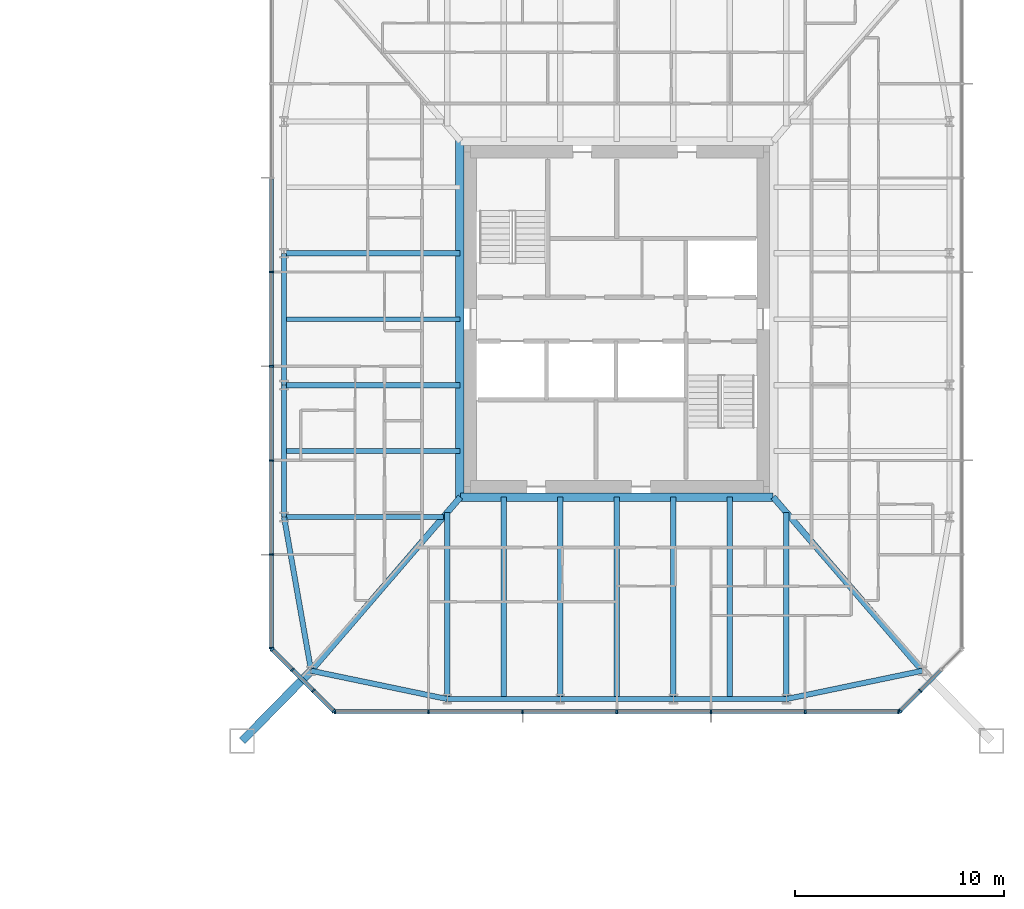
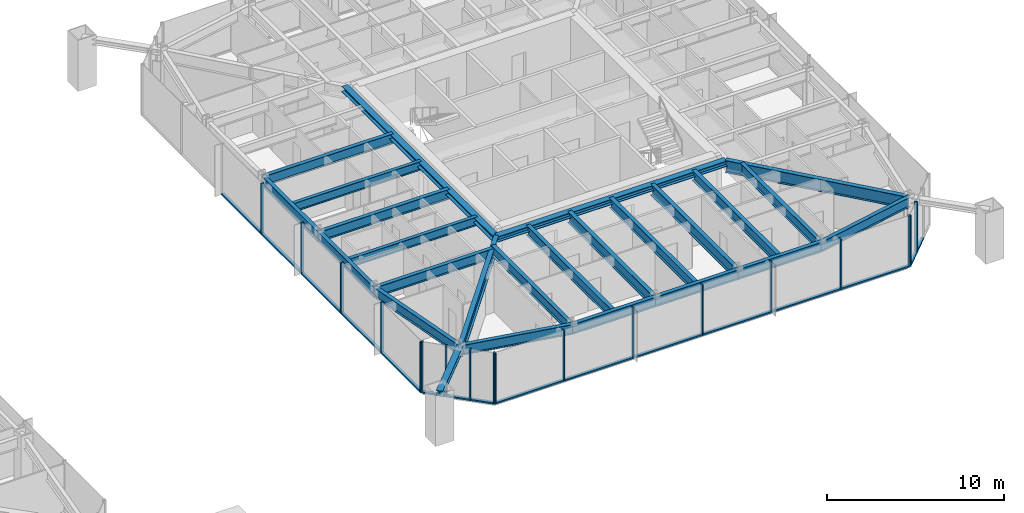
# One storey, part 8 of 26: 35 members, 24 beams, 4 elements without a shape of their own.
"""IFC4 building model written with IfcOpenShell, lengths in metres."""

from ifc_helpers import new_model, si_unit, direction, frame, origin, origin_2d, place, context, subcontext, project, spatial, rectangle, i_section, extrude, material, material_profile, profile_set, type_object, element, aggregate, save


model = new_model("IFC4")

# Units and contexts
model_context = context("Model", 3, precision=1e-05, world=origin(), true_north=direction((0.0, 1.0)))
body_context = subcontext(model_context, "Body", "Model", "MODEL_VIEW")
ifc_project = project(units=[si_unit("LENGTHUNIT", "METRE"), si_unit("AREAUNIT", "SQUARE_METRE"), si_unit("VOLUMEUNIT", "CUBIC_METRE"), si_unit("PLANEANGLEUNIT", "RADIAN"), si_unit("MASSUNIT", "GRAM", prefix="KILO")], contexts=[model_context])

# Site, building, storey
site_placement = place(None, origin())
site = spatial("IfcSite", under=ifc_project, at=site_placement, CompositionType="ELEMENT")
building_placement = place(site_placement, origin())
building = spatial("IfcBuilding", under=site, at=building_placement, Name="Iwan Alto Co-Living Towers", CompositionType="ELEMENT")
storey_placement = place(building_placement, frame((0.0, 0.0, 60.5)))
storey = spatial("IfcBuildingStorey", under=building, at=storey_placement, Name="L16", CompositionType="ELEMENT", Elevation=60.5)

# Curtain wall, members
ifc_material_1 = material(Name="Bronze aluminium unitised frame", Category="aluminium")
curtain_wall_type_1 = type_object("IfcCurtainWallType", Name="CURTAIN WALL CW-C", PredefinedType="NOTDEFINED", material=ifc_material_1)
curtain_wall_1_placement = place(storey_placement, origin())
curtain_wall_1 = element("IfcCurtainWall", 1, at=curtain_wall_1_placement, inside=storey, type_object=curtain_wall_type_1, Name="T2 curtain wall S L16", PredefinedType="NOTDEFINED")
ifc_material_2 = material(Name="Aluminium 6063-T6 bronze anodised", Category="aluminium")
ifc_material_profile_1 = material_profile(ifc_material_2, rectangle(XDim=0.199951171875, YDim=0.080078125, at=origin_2d()), Name="AL 80X200")
ifc_profile_set_1 = profile_set([ifc_material_profile_1], Name="Aluminium 6063-T6 bronze anodised")
member_type_1 = type_object("IfcMemberType", Name="CW-C MULLION 80X200", PredefinedType="MULLION", material=ifc_profile_set_1)
member_1_placement = place(storey_placement, frame((49.5400390625, -18.75, 0.0), z_axis=(0.0, 0.0, 1.0), x_axis=(0.0, 1.0, 0.0)))
member_1 = element("IfcMember", 2, at=member_1_placement, type_object=member_type_1, Name="CW-C mullion 1", PredefinedType="MULLION", context=body_context, shape_type="SweptSolid", body=[
    extrude(rectangle(XDim=0.199951171875, YDim=0.080078125, at=origin_2d()), origin(), (0.0, 0.0, 1.0), 3.5),
])
member_2_placement = place(storey_placement, frame((54.0, -18.75, 0.0), z_axis=(0.0, 0.0, 1.0), x_axis=(0.0, 1.0, 0.0)))
member_2 = element("IfcMember", 3, at=member_2_placement, type_object=member_type_1, Name="CW-C mullion 2", PredefinedType="MULLION", context=body_context, shape_type="SweptSolid", body=[
    extrude(rectangle(XDim=0.199951171875, YDim=0.080078125, at=origin_2d()), origin(), (0.0, 0.0, 1.0), 3.5),
])
member_3_placement = place(storey_placement, frame((58.5, -18.75, 0.0), z_axis=(0.0, 0.0, 1.0), x_axis=(0.0, 1.0, 0.0)))
member_3 = element("IfcMember", 4, at=member_3_placement, type_object=member_type_1, Name="CW-C mullion 3", PredefinedType="MULLION", context=body_context, shape_type="SweptSolid", body=[
    extrude(rectangle(XDim=0.199951171875, YDim=0.080078125, at=origin_2d()), origin(), (0.0, 0.0, 1.0), 3.5),
])
member_4_placement = place(storey_placement, frame((63.0, -18.75, 0.0), z_axis=(0.0, 0.0, 1.0), x_axis=(0.0, 1.0, 0.0)))
member_4 = element("IfcMember", 5, at=member_4_placement, type_object=member_type_1, Name="CW-C mullion 4", PredefinedType="MULLION", context=body_context, shape_type="SweptSolid", body=[
    extrude(rectangle(XDim=0.199951171875, YDim=0.080078125, at=origin_2d()), origin(), (0.0, 0.0, 1.0), 3.5),
])
member_5_placement = place(storey_placement, frame((67.5, -18.75, 0.0), z_axis=(0.0, 0.0, 1.0), x_axis=(0.0, 1.0, 0.0)))
member_5 = element("IfcMember", 6, at=member_5_placement, type_object=member_type_1, Name="CW-C mullion 5", PredefinedType="MULLION", context=body_context, shape_type="SweptSolid", body=[
    extrude(rectangle(XDim=0.199951171875, YDim=0.080078125, at=origin_2d()), origin(), (0.0, 0.0, 1.0), 3.5),
])
member_6_placement = place(storey_placement, frame((72.0, -18.75, 0.0), z_axis=(0.0, 0.0, 1.0), x_axis=(0.0, 1.0, 0.0)))
member_6 = element("IfcMember", 7, at=member_6_placement, type_object=member_type_1, Name="CW-C mullion 6", PredefinedType="MULLION", context=body_context, shape_type="SweptSolid", body=[
    extrude(rectangle(XDim=0.199951171875, YDim=0.080078125, at=origin_2d()), origin(), (0.0, 0.0, 1.0), 3.5),
])
member_7_placement = place(storey_placement, frame((76.4599609375, -18.75, 0.0), z_axis=(0.0, 0.0, 1.0), x_axis=(0.0, 1.0, 0.0)))
member_7 = element("IfcMember", 8, at=member_7_placement, type_object=member_type_1, Name="CW-C mullion 7", PredefinedType="MULLION", context=body_context, shape_type="SweptSolid", body=[
    extrude(rectangle(XDim=0.199951171875, YDim=0.080078125, at=origin_2d()), origin(), (0.0, 0.0, 1.0), 3.5),
])

curtain_wall_2_placement = place(storey_placement, origin())
curtain_wall_2 = element("IfcCurtainWall", 9, at=curtain_wall_2_placement, inside=storey, type_object=curtain_wall_type_1, Name="T2 curtain wall W L16", PredefinedType="NOTDEFINED")
member_8_placement = place(storey_placement, frame((46.5, 2.25, 0.0), z_axis=(0.0, 0.0, 1.0), x_axis=(1.0, 0.0, 0.0)))
member_8 = element("IfcMember", 10, at=member_8_placement, type_object=member_type_1, Name="CW-C mullion 4", PredefinedType="MULLION", context=body_context, shape_type="SweptSolid", body=[
    extrude(rectangle(XDim=0.199951171875, YDim=0.080078125, at=origin_2d()), origin(), (0.0, 0.0, 1.0), 3.5),
])
member_9_placement = place(storey_placement, frame((46.5, -2.25, 0.0), z_axis=(0.0, 0.0, 1.0), x_axis=(1.0, 0.0, 0.0)))
member_9 = element("IfcMember", 11, at=member_9_placement, type_object=member_type_1, Name="CW-C mullion 5", PredefinedType="MULLION", context=body_context, shape_type="SweptSolid", body=[
    extrude(rectangle(XDim=0.199951171875, YDim=0.080078125, at=origin_2d()), origin(), (0.0, 0.0, 1.0), 3.5),
])
member_10_placement = place(storey_placement, frame((46.5, -6.75, 0.0), z_axis=(0.0, 0.0, 1.0), x_axis=(1.0, 0.0, 0.0)))
member_10 = element("IfcMember", 12, at=member_10_placement, type_object=member_type_1, Name="CW-C mullion 6", PredefinedType="MULLION", context=body_context, shape_type="SweptSolid", body=[
    extrude(rectangle(XDim=0.199951171875, YDim=0.080078125, at=origin_2d()), origin(), (0.0, 0.0, 1.0), 3.5),
])
member_11_placement = place(storey_placement, frame((46.5, -11.25, 0.0), z_axis=(0.0, 0.0, 1.0), x_axis=(1.0, 0.0, 0.0)))
member_11 = element("IfcMember", 13, at=member_11_placement, type_object=member_type_1, Name="CW-C mullion 7", PredefinedType="MULLION", context=body_context, shape_type="SweptSolid", body=[
    extrude(rectangle(XDim=0.199951171875, YDim=0.080078125, at=origin_2d()), origin(), (0.0, 0.0, 1.0), 3.5),
])
member_12_placement = place(storey_placement, frame((46.5, -15.7099609375, 0.0), z_axis=(0.0, 0.0, 1.0), x_axis=(1.0, 0.0, 0.0)))
member_12 = element("IfcMember", 14, at=member_12_placement, type_object=member_type_1, Name="CW-C mullion 8", PredefinedType="MULLION", context=body_context, shape_type="SweptSolid", body=[
    extrude(rectangle(XDim=0.199951171875, YDim=0.080078125, at=origin_2d()), origin(), (0.0, 0.0, 1.0), 3.5),
])

# Member
ifc_material_3 = material(Name="Aluminium 6063-T6 bronze anodised", Category="aluminium")
ifc_material_profile_2 = material_profile(ifc_material_3, rectangle(XDim=0.199951171875, YDim=0.10009765625, at=origin_2d()), Name="AL 200X100")
ifc_profile_set_2 = profile_set([ifc_material_profile_2], Name="Aluminium 6063-T6 bronze anodised")
member_type_2 = type_object("IfcMemberType", Name="CW-C TRANSOM 200X100", PredefinedType="USERDEFINED", material=ifc_profile_set_2)
member_13_placement = place(storey_placement, frame((49.580078125, -18.75, 0.050048828125), z_axis=(1.0, 0.0, 0.0), x_axis=(0.0, 1.0, 0.0)))
member_13 = element("IfcMember", 15, at=member_13_placement, type_object=member_type_2, Name="CW-C transom 1.1", ObjectType="TRANSOM", PredefinedType="USERDEFINED", context=body_context, shape_type="SweptSolid", body=[
    extrude(rectangle(XDim=0.199951171875, YDim=0.10009765625, at=origin_2d()), origin(), (0.0, 0.0, 1.0), 4.3798828125),
])

member_14_placement = place(storey_placement, frame((54.0400390625, -18.75, 0.050048828125), z_axis=(1.0, 0.0, 0.0), x_axis=(0.0, 1.0, 0.0)))
member_14 = element("IfcMember", 16, at=member_14_placement, type_object=member_type_2, Name="CW-C transom 2.1", ObjectType="TRANSOM", PredefinedType="USERDEFINED", context=body_context, shape_type="SweptSolid", body=[
    extrude(rectangle(XDim=0.199951171875, YDim=0.10009765625, at=origin_2d()), origin(), (0.0, 0.0, 1.0), 4.419921875),
])

member_15_placement = place(storey_placement, frame((58.5400390625, -18.75, 0.050048828125), z_axis=(1.0, 0.0, 0.0), x_axis=(0.0, 1.0, 0.0)))
member_15 = element("IfcMember", 17, at=member_15_placement, type_object=member_type_2, Name="CW-C transom 3.1", ObjectType="TRANSOM", PredefinedType="USERDEFINED", context=body_context, shape_type="SweptSolid", body=[
    extrude(rectangle(XDim=0.199951171875, YDim=0.10009765625, at=origin_2d()), origin(), (0.0, 0.0, 1.0), 4.419921875),
])

member_16_placement = place(storey_placement, frame((63.0400390625, -18.75, 0.050048828125), z_axis=(1.0, 0.0, 0.0), x_axis=(0.0, 1.0, 0.0)))
member_16 = element("IfcMember", 18, at=member_16_placement, type_object=member_type_2, Name="CW-C transom 4.1", ObjectType="TRANSOM", PredefinedType="USERDEFINED", context=body_context, shape_type="SweptSolid", body=[
    extrude(rectangle(XDim=0.199951171875, YDim=0.10009765625, at=origin_2d()), origin(), (0.0, 0.0, 1.0), 4.419921875),
])

member_17_placement = place(storey_placement, frame((67.5400390625, -18.75, 0.050048828125), z_axis=(1.0, 0.0, 0.0), x_axis=(0.0, 1.0, 0.0)))
member_17 = element("IfcMember", 19, at=member_17_placement, type_object=member_type_2, Name="CW-C transom 5.1", ObjectType="TRANSOM", PredefinedType="USERDEFINED", context=body_context, shape_type="SweptSolid", body=[
    extrude(rectangle(XDim=0.199951171875, YDim=0.10009765625, at=origin_2d()), origin(), (0.0, 0.0, 1.0), 4.419921875),
])

member_18_placement = place(storey_placement, frame((72.0400390625, -18.75, 0.050048828125), z_axis=(1.0, 0.0, 0.0), x_axis=(0.0, 1.0, 0.0)))
member_18 = element("IfcMember", 20, at=member_18_placement, type_object=member_type_2, Name="CW-C transom 6.1", ObjectType="TRANSOM", PredefinedType="USERDEFINED", context=body_context, shape_type="SweptSolid", body=[
    extrude(rectangle(XDim=0.199951171875, YDim=0.10009765625, at=origin_2d()), origin(), (0.0, 0.0, 1.0), 4.3798828125),
])

aggregate(curtain_wall_1, [member_1, member_2, member_3, member_4, member_5, member_6, member_7, member_13, member_14, member_15, member_16, member_17, member_18])

member_19_placement = place(storey_placement, frame((46.5, 6.7099609375, 0.050048828125), z_axis=(0.0, -1.0, 0.0), x_axis=(1.0, 0.0, 0.0)))
member_19 = element("IfcMember", 21, at=member_19_placement, type_object=member_type_2, Name="CW-C transom 3.1", ObjectType="TRANSOM", PredefinedType="USERDEFINED", context=body_context, shape_type="SweptSolid", body=[
    extrude(rectangle(XDim=0.199951171875, YDim=0.10009765625, at=origin_2d()), origin(), (0.0, 0.0, 1.0), 4.419921875),
])

member_20_placement = place(storey_placement, frame((46.5, 2.2099609375, 0.050048828125), z_axis=(0.0, -1.0, 0.0), x_axis=(1.0, 0.0, 0.0)))
member_20 = element("IfcMember", 22, at=member_20_placement, type_object=member_type_2, Name="CW-C transom 4.1", ObjectType="TRANSOM", PredefinedType="USERDEFINED", context=body_context, shape_type="SweptSolid", body=[
    extrude(rectangle(XDim=0.199951171875, YDim=0.10009765625, at=origin_2d()), origin(), (0.0, 0.0, 1.0), 4.419921875),
])

member_21_placement = place(storey_placement, frame((46.5, -2.2900390625, 0.050048828125), z_axis=(0.0, -1.0, 0.0), x_axis=(1.0, 0.0, 0.0)))
member_21 = element("IfcMember", 23, at=member_21_placement, type_object=member_type_2, Name="CW-C transom 5.1", ObjectType="TRANSOM", PredefinedType="USERDEFINED", context=body_context, shape_type="SweptSolid", body=[
    extrude(rectangle(XDim=0.199951171875, YDim=0.10009765625, at=origin_2d()), origin(), (0.0, 0.0, 1.0), 4.419921875),
])

member_22_placement = place(storey_placement, frame((46.5, -6.7900390625, 0.050048828125), z_axis=(0.0, -1.0, 0.0), x_axis=(1.0, 0.0, 0.0)))
member_22 = element("IfcMember", 24, at=member_22_placement, type_object=member_type_2, Name="CW-C transom 6.1", ObjectType="TRANSOM", PredefinedType="USERDEFINED", context=body_context, shape_type="SweptSolid", body=[
    extrude(rectangle(XDim=0.199951171875, YDim=0.10009765625, at=origin_2d()), origin(), (0.0, 0.0, 1.0), 4.419921875),
])

member_23_placement = place(storey_placement, frame((46.5, -11.2900390625, 0.050048828125), z_axis=(0.0, -1.0, 0.0), x_axis=(1.0, 0.0, 0.0)))
member_23 = element("IfcMember", 25, at=member_23_placement, type_object=member_type_2, Name="CW-C transom 7.1", ObjectType="TRANSOM", PredefinedType="USERDEFINED", context=body_context, shape_type="SweptSolid", body=[
    extrude(rectangle(XDim=0.199951171875, YDim=0.10009765625, at=origin_2d()), origin(), (0.0, 0.0, 1.0), 4.3798828125),
])

aggregate(curtain_wall_2, [member_8, member_9, member_10, member_11, member_12, member_19, member_20, member_21, member_22, member_23])

# Curtain wall, members
ifc_material_4 = material(Name="Bronze aluminium unitised frame", Category="aluminium")
curtain_wall_type_2 = type_object("IfcCurtainWallType", Name="CURTAIN WALL CW-D", PredefinedType="NOTDEFINED", material=ifc_material_4)
curtain_wall_3_placement = place(storey_placement, origin())
curtain_wall_3 = element("IfcCurtainWall", 26, at=curtain_wall_3_placement, inside=storey, type_object=curtain_wall_type_2, Name="T2 chamfer curtain wall SE L16", PredefinedType="NOTDEFINED")
ifc_material_5 = material(Name="Aluminium 6063-T6 bronze anodised", Category="aluminium")
ifc_material_profile_3 = material_profile(ifc_material_5, rectangle(XDim=0.199951171875, YDim=0.080078125, at=origin_2d()), Name="AL 80X200")
ifc_profile_set_3 = profile_set([ifc_material_profile_3], Name="Aluminium 6063-T6 bronze anodised")
member_type_3 = type_object("IfcMemberType", Name="CW-D MULLION 80X200", PredefinedType="MULLION", material=ifc_profile_set_3)
member_24_placement = place(storey_placement, frame((76.5283203125, -18.7216796875, 0.0), z_axis=(0.0, 0.0, 1.0), x_axis=(-0.707106781187, 0.707106781187, 0.0)))
member_24 = element("IfcMember", 27, at=member_24_placement, type_object=member_type_3, Name="CW-D mullion 1", PredefinedType="MULLION", context=body_context, shape_type="SweptSolid", body=[
    extrude(rectangle(XDim=0.199951171875, YDim=0.080078125, at=origin_2d()), origin(), (0.0, 0.0, 1.0), 3.5),
])
member_25_placement = place(storey_placement, frame((77.5, -17.75, 0.0), z_axis=(0.0, 0.0, 1.0), x_axis=(-0.707106781187, 0.707106781187, 0.0)))
member_25 = element("IfcMember", 28, at=member_25_placement, type_object=member_type_3, Name="CW-D mullion 2", PredefinedType="MULLION", context=body_context, shape_type="SweptSolid", body=[
    extrude(rectangle(XDim=0.199951171875, YDim=0.080078125, at=origin_2d()), origin(), (0.0, 0.0, 1.0), 3.5),
])

curtain_wall_4_placement = place(storey_placement, origin())
curtain_wall_4 = element("IfcCurtainWall", 29, at=curtain_wall_4_placement, inside=storey, type_object=curtain_wall_type_2, Name="T2 chamfer curtain wall SW L16", PredefinedType="NOTDEFINED")
member_26_placement = place(storey_placement, frame((46.5283203125, -15.7783203125, 0.0), z_axis=(0.0, 0.0, 1.0), x_axis=(0.707106781187, 0.707106781187, 0.0)))
member_26 = element("IfcMember", 30, at=member_26_placement, type_object=member_type_3, Name="CW-D mullion 1", PredefinedType="MULLION", context=body_context, shape_type="SweptSolid", body=[
    extrude(rectangle(XDim=0.199951171875, YDim=0.080078125, at=origin_2d()), origin(), (0.0, 0.0, 1.0), 3.5),
])
member_27_placement = place(storey_placement, frame((47.5, -16.75, 0.0), z_axis=(0.0, 0.0, 1.0), x_axis=(0.707106781187, 0.707106781187, 0.0)))
member_27 = element("IfcMember", 31, at=member_27_placement, type_object=member_type_3, Name="CW-D mullion 2", PredefinedType="MULLION", context=body_context, shape_type="SweptSolid", body=[
    extrude(rectangle(XDim=0.199951171875, YDim=0.080078125, at=origin_2d()), origin(), (0.0, 0.0, 1.0), 3.5),
])
member_28_placement = place(storey_placement, frame((48.5, -17.75, 0.0), z_axis=(0.0, 0.0, 1.0), x_axis=(0.707106781187, 0.707106781187, 0.0)))
member_28 = element("IfcMember", 32, at=member_28_placement, type_object=member_type_3, Name="CW-D mullion 3", PredefinedType="MULLION", context=body_context, shape_type="SweptSolid", body=[
    extrude(rectangle(XDim=0.199951171875, YDim=0.080078125, at=origin_2d()), origin(), (0.0, 0.0, 1.0), 3.5),
])
member_29_placement = place(storey_placement, frame((49.4716796875, -18.7216796875, 0.0), z_axis=(0.0, 0.0, 1.0), x_axis=(0.707106781187, 0.707106781187, 0.0)))
member_29 = element("IfcMember", 33, at=member_29_placement, type_object=member_type_3, Name="CW-D mullion 4", PredefinedType="MULLION", context=body_context, shape_type="SweptSolid", body=[
    extrude(rectangle(XDim=0.199951171875, YDim=0.080078125, at=origin_2d()), origin(), (0.0, 0.0, 1.0), 3.5),
])

# Member
ifc_material_6 = material(Name="Aluminium 6063-T6 bronze anodised", Category="aluminium")
ifc_material_profile_4 = material_profile(ifc_material_6, rectangle(XDim=0.199951171875, YDim=0.10009765625, at=origin_2d()), Name="AL 200X100")
ifc_profile_set_4 = profile_set([ifc_material_profile_4], Name="Aluminium 6063-T6 bronze anodised")
member_type_4 = type_object("IfcMemberType", Name="CW-D TRANSOM 200X100", PredefinedType="USERDEFINED", material=ifc_profile_set_4)
member_30_placement = place(storey_placement, frame((76.556640625, -18.693359375, 0.050048828125), z_axis=(0.707106781187, 0.707106781187, 0.0), x_axis=(-0.707106781187, 0.707106781187, 0.0)))
member_30 = element("IfcMember", 34, at=member_30_placement, type_object=member_type_4, Name="CW-D transom 1.1", ObjectType="TRANSOM", PredefinedType="USERDEFINED", context=body_context, shape_type="SweptSolid", body=[
    extrude(rectangle(XDim=0.199951171875, YDim=0.10009765625, at=origin_2d()), origin(), (0.0, 0.0, 1.0), 1.2939453125),
])

member_31_placement = place(storey_placement, frame((77.5283203125, -17.7216796875, 0.050048828125), z_axis=(0.707106781187, 0.707106781187, 0.0), x_axis=(-0.707106781187, 0.707106781187, 0.0)))
member_31 = element("IfcMember", 35, at=member_31_placement, type_object=member_type_4, Name="CW-D transom 2.1", ObjectType="TRANSOM", PredefinedType="USERDEFINED", context=body_context, shape_type="SweptSolid", body=[
    extrude(rectangle(XDim=0.199951171875, YDim=0.10009765625, at=origin_2d()), origin(), (0.0, 0.0, 1.0), 1.334228515625),
])

aggregate(curtain_wall_3, [member_24, member_25, member_30, member_31])

member_32_placement = place(storey_placement, frame((46.556640625, -15.806640625, 0.050048828125), z_axis=(0.707106781187, -0.707106781187, 0.0), x_axis=(0.707106781187, 0.707106781187, 0.0)))
member_32 = element("IfcMember", 36, at=member_32_placement, type_object=member_type_4, Name="CW-D transom 1.1", ObjectType="TRANSOM", PredefinedType="USERDEFINED", context=body_context, shape_type="SweptSolid", body=[
    extrude(rectangle(XDim=0.199951171875, YDim=0.10009765625, at=origin_2d()), origin(), (0.0, 0.0, 1.0), 1.2939453125),
])

member_33_placement = place(storey_placement, frame((47.5283203125, -16.7783203125, 0.050048828125), z_axis=(0.707106781187, -0.707106781187, 0.0), x_axis=(0.707106781187, 0.707106781187, 0.0)))
member_33 = element("IfcMember", 37, at=member_33_placement, type_object=member_type_4, Name="CW-D transom 2.1", ObjectType="TRANSOM", PredefinedType="USERDEFINED", context=body_context, shape_type="SweptSolid", body=[
    extrude(rectangle(XDim=0.199951171875, YDim=0.10009765625, at=origin_2d()), origin(), (0.0, 0.0, 1.0), 1.334228515625),
])

member_34_placement = place(storey_placement, frame((48.5283203125, -17.7783203125, 0.050048828125), z_axis=(0.707106781187, -0.707106781187, 0.0), x_axis=(0.707106781187, 0.707106781187, 0.0)))
member_34 = element("IfcMember", 38, at=member_34_placement, type_object=member_type_4, Name="CW-D transom 3.1", ObjectType="TRANSOM", PredefinedType="USERDEFINED", context=body_context, shape_type="SweptSolid", body=[
    extrude(rectangle(XDim=0.199951171875, YDim=0.10009765625, at=origin_2d()), origin(), (0.0, 0.0, 1.0), 1.2939453125),
])

aggregate(curtain_wall_4, [member_26, member_27, member_28, member_29, member_32, member_33, member_34])

# Beams
ifc_material_7 = material(Name="Steel ASTM A992 Gr 50", Category="steel")
ifc_material_profile_5 = material_profile(ifc_material_7, i_section(OverallWidth=0.398681640625, OverallDepth=0.385986328125, WebThickness=0.02099609375, FlangeThickness=0.033203125, at=origin_2d()), Name="W14X176")
ifc_profile_set_5 = profile_set([ifc_material_profile_5], Name="Steel ASTM A992 Gr 50")
beam_type_1 = type_object("IfcBeamType", Name="T2 CORE LEDGER BEAM W14X176", PredefinedType="BEAM", material=ifc_profile_set_5)
beam_1_placement = place(storey_placement, frame((55.528564453125, -8.49951171875, 3.076904296875), z_axis=(1.0, 0.0, 0.0), x_axis=(0.0, 1.0, 0.0)))
element("IfcBeam", 39, at=beam_1_placement, inside=storey, type_object=beam_type_1, Name="T2 core ledger beam S L17", PredefinedType="BEAM", context=body_context, shape_type="SweptSolid", body=[
    extrude(i_section(OverallWidth=0.398681640625, OverallDepth=0.385986328125, WebThickness=0.02099609375, FlangeThickness=0.033203125, at=origin_2d()), origin(), (0.0, 0.0, 1.0), 14.94287109375),
])
beam_2_placement = place(storey_placement, frame((55.50048828125, 8.531982421875, 3.076904296875), z_axis=(0.0, -1.0, 0.0), x_axis=(1.0, 0.0, 0.0)))
element("IfcBeam", 40, at=beam_2_placement, inside=storey, type_object=beam_type_1, Name="T2 core ledger beam W L17", PredefinedType="BEAM", context=body_context, shape_type="SweptSolid", body=[
    extrude(i_section(OverallWidth=0.398681640625, OverallDepth=0.385986328125, WebThickness=0.02099609375, FlangeThickness=0.033203125, at=origin_2d()), origin(), (0.0, 0.0, 1.0), 17.06396484375),
])
ifc_material_8 = material(Name="Steel ASTM A992 Gr 50", Category="steel")
ifc_material_profile_6 = material_profile(ifc_material_8, i_section(OverallWidth=0.2919921875, OverallDepth=0.8408203125, WebThickness=0.0146484375, FlangeThickness=0.021728515625, at=origin_2d()), Name="W33X130")
ifc_profile_set_6 = profile_set([ifc_material_profile_6], Name="Steel ASTM A992 Gr 50")
beam_type_2 = type_object("IfcBeamType", Name="T2 CORNER GIRDER W33X130", PredefinedType="BEAM", material=ifc_profile_set_6)
for number, where, z_axis, x_axis, name in (
    (41, (48.393798828125, -16.797119140625, 2.849609375), (0.651977452133, 0.758238354286, 0.0), (-0.758238354286, 0.651977452133, 0.0), "T2 corner girder CSW L17"),
    (42, (77.606201171875, -16.797119140625, 2.849609375), (-0.651977452133, 0.758238354286, 0.0), (-0.758238354286, -0.651977452133, 0.0), "T2 corner girder CSE L17"),
):
    element("IfcBeam", number, at=place(storey_placement, frame(where, z_axis=z_axis, x_axis=x_axis)), inside=storey, type_object=beam_type_2, Name=name, PredefinedType="BEAM", context=body_context, shape_type="SweptSolid", body=[
        extrude(i_section(OverallWidth=0.2919921875, OverallDepth=0.8408203125, WebThickness=0.0146484375, FlangeThickness=0.021728515625, at=origin_2d()), origin(), (0.0, 0.0, 1.0), 10.943359375),
    ])
ifc_material_9 = material(Name="Steel ASTM A992 Gr 50", Category="steel")
ifc_material_profile_7 = material_profile(ifc_material_9, i_section(OverallWidth=0.25390625, OverallDepth=0.683349609375, WebThickness=0.012451171875, FlangeThickness=0.018798828125, at=origin_2d()), Name="W27X94")
ifc_profile_set_7 = profile_set([ifc_material_profile_7], Name="Steel ASTM A992 Gr 50")
beam_type_3 = type_object("IfcBeamType", Name="T2 EDGE BEAM W27X94", PredefinedType="BEAM", material=ifc_profile_set_7)
beam_3_placement = place(storey_placement, frame((48.393798828125, -16.797119140625, 2.928466796875), z_axis=(0.979060119423, -0.203571320564, 0.0), x_axis=(0.203571320564, 0.979060119423, 0.0)))
element("IfcBeam", 43, at=beam_3_placement, inside=storey, type_object=beam_type_3, Name="T2 edge beam CSW L17", PredefinedType="BEAM", context=body_context, shape_type="SweptSolid", body=[
    extrude(i_section(OverallWidth=0.25390625, OverallDepth=0.683349609375, WebThickness=0.012451171875, FlangeThickness=0.018798828125, at=origin_2d()), origin(), (0.0, 0.0, 1.0), 6.645263671875),
])
beam_4_placement = place(storey_placement, frame((54.89990234375, -18.14990234375, 2.928466796875), z_axis=(1.0, 0.0, 0.0), x_axis=(0.0, 1.0, 0.0)))
element("IfcBeam", 44, at=beam_4_placement, inside=storey, type_object=beam_type_3, Name="T2 edge beam S1 L17", PredefinedType="BEAM", context=body_context, shape_type="SweptSolid", body=[
    extrude(i_section(OverallWidth=0.25390625, OverallDepth=0.683349609375, WebThickness=0.012451171875, FlangeThickness=0.018798828125, at=origin_2d()), origin(), (0.0, 0.0, 1.0), 5.400146484375),
])
beam_5_placement = place(storey_placement, frame((60.300048828125, -18.14990234375, 2.928466796875), z_axis=(1.0, 0.0, 0.0), x_axis=(0.0, 1.0, 0.0)))
element("IfcBeam", 45, at=beam_5_placement, inside=storey, type_object=beam_type_3, Name="T2 edge beam S2 L17", PredefinedType="BEAM", context=body_context, shape_type="SweptSolid", body=[
    extrude(i_section(OverallWidth=0.25390625, OverallDepth=0.683349609375, WebThickness=0.012451171875, FlangeThickness=0.018798828125, at=origin_2d()), origin(), (0.0, 0.0, 1.0), 5.39990234375),
])
beam_6_placement = place(storey_placement, frame((65.699951171875, -18.14990234375, 2.928466796875), z_axis=(1.0, 0.0, 0.0), x_axis=(0.0, 1.0, 0.0)))
element("IfcBeam", 46, at=beam_6_placement, inside=storey, type_object=beam_type_3, Name="T2 edge beam S3 L17", PredefinedType="BEAM", context=body_context, shape_type="SweptSolid", body=[
    extrude(i_section(OverallWidth=0.25390625, OverallDepth=0.683349609375, WebThickness=0.012451171875, FlangeThickness=0.018798828125, at=origin_2d()), origin(), (0.0, 0.0, 1.0), 5.400146484375),
])
beam_7_placement = place(storey_placement, frame((71.10009765625, -18.14990234375, 2.928466796875), z_axis=(0.979060119423, 0.203571320564, 0.0), x_axis=(-0.203571320564, 0.979060119423, 0.0)))
element("IfcBeam", 47, at=beam_7_placement, inside=storey, type_object=beam_type_3, Name="T2 edge beam S4 L17", PredefinedType="BEAM", context=body_context, shape_type="SweptSolid", body=[
    extrude(i_section(OverallWidth=0.25390625, OverallDepth=0.683349609375, WebThickness=0.012451171875, FlangeThickness=0.018798828125, at=origin_2d()), origin(), (0.0, 0.0, 1.0), 6.645263671875),
])
beam_8_placement = place(storey_placement, frame((47.10009765625, 3.14990234375, 2.928466796875), z_axis=(0.0, -1.0, 0.0), x_axis=(1.0, 0.0, 0.0)))
element("IfcBeam", 48, at=beam_8_placement, inside=storey, type_object=beam_type_3, Name="T2 edge beam W2 L17", PredefinedType="BEAM", context=body_context, shape_type="SweptSolid", body=[
    extrude(i_section(OverallWidth=0.25390625, OverallDepth=0.683349609375, WebThickness=0.012451171875, FlangeThickness=0.018798828125, at=origin_2d()), origin(), (0.0, 0.0, 1.0), 6.2998046875),
])
beam_9_placement = place(storey_placement, frame((47.10009765625, -3.14990234375, 2.928466796875), z_axis=(0.0, -1.0, 0.0), x_axis=(1.0, 0.0, 0.0)))
element("IfcBeam", 49, at=beam_9_placement, inside=storey, type_object=beam_type_3, Name="T2 edge beam W3 L17", PredefinedType="BEAM", context=body_context, shape_type="SweptSolid", body=[
    extrude(i_section(OverallWidth=0.25390625, OverallDepth=0.683349609375, WebThickness=0.012451171875, FlangeThickness=0.018798828125, at=origin_2d()), origin(), (0.0, 0.0, 1.0), 6.300048828125),
])
beam_10_placement = place(storey_placement, frame((47.10009765625, -9.449951171875, 2.928466796875), z_axis=(0.173413807283, -0.98484905008, 0.0), x_axis=(0.98484905008, 0.173413807283, 0.0)))
element("IfcBeam", 50, at=beam_10_placement, inside=storey, type_object=beam_type_3, Name="T2 edge beam W4 L17", PredefinedType="BEAM", context=body_context, shape_type="SweptSolid", body=[
    extrude(i_section(OverallWidth=0.25390625, OverallDepth=0.683349609375, WebThickness=0.012451171875, FlangeThickness=0.018798828125, at=origin_2d()), origin(), (0.0, 0.0, 1.0), 7.460205078125),
])

# Member
ifc_material_10 = material(Name="Steel ASTM A992 Gr 50", Category="steel")
ifc_material_profile_8 = material_profile(ifc_material_10, i_section(OverallWidth=0.393798828125, OverallDepth=0.3759765625, WebThickness=0.017333984375, FlangeThickness=0.027587890625, at=origin_2d()), Name="W14X145")
ifc_profile_set_8 = profile_set([ifc_material_profile_8], Name="Steel ASTM A992 Gr 50")
member_type_5 = type_object("IfcMemberType", Name="T2 MEGA COLUMN FLOOR TIE W14X145", PredefinedType="STRUT", material=ifc_profile_set_8)
member_35_placement = place(storey_placement, frame((45.10009765625, -20.14990234375, 3.08203125), z_axis=(0.700793469544, 0.71336422187, 0.0), x_axis=(-0.71336422187, 0.700793469544, 0.0)))
element("IfcMember", 51, at=member_35_placement, inside=storey, type_object=member_type_5, Name="T2 mega column floor tie SW L17", PredefinedType="STRUT", context=body_context, shape_type="SweptSolid", body=[
    extrude(i_section(OverallWidth=0.393798828125, OverallDepth=0.3759765625, WebThickness=0.017333984375, FlangeThickness=0.027587890625, at=origin_2d()), origin(), (0.0, 0.0, 1.0), 4.699951171875),
])

# Beams
ifc_material_11 = material(Name="Steel ASTM A992 Gr 50", Category="steel")
ifc_material_profile_9 = material_profile(ifc_material_11, i_section(OverallWidth=0.25390625, OverallDepth=0.683349609375, WebThickness=0.012451171875, FlangeThickness=0.018798828125, at=origin_2d()), Name="W27X94")
ifc_profile_set_9 = profile_set([ifc_material_profile_9], Name="Steel ASTM A992 Gr 50")
beam_type_4 = type_object("IfcBeamType", Name="T2 RADIAL BEAM W27X94", PredefinedType="BEAM", material=ifc_profile_set_9)
for number, where, z_axis, x_axis, name in (
    (52, (54.89990234375, -18.14990234375, 2.928466796875), (0.0, 1.0, 0.0), (-1.0, 0.0, 0.0), "T2 radial beam S1 L17"),
    (53, (71.10009765625, -18.14990234375, 2.928466796875), (0.0, 1.0, 0.0), (-1.0, 0.0, 0.0), "T2 radial beam S4 L17"),
):
    element("IfcBeam", number, at=place(storey_placement, frame(where, z_axis=z_axis, x_axis=x_axis)), inside=storey, type_object=beam_type_4, Name=name, PredefinedType="BEAM", context=body_context, shape_type="SweptSolid", body=[
        extrude(i_section(OverallWidth=0.25390625, OverallDepth=0.683349609375, WebThickness=0.012451171875, FlangeThickness=0.018798828125, at=origin_2d()), origin(), (0.0, 0.0, 1.0), 8.91943359375),
    ])
for number, where, z_axis, x_axis, name in (
    (54, (47.10009765625, 3.14990234375, 2.928466796875), (1.0, 0.0, 0.0), (0.0, 1.0, 0.0), "T2 radial beam W2 L17"),
    (55, (47.10009765625, -3.14990234375, 2.928466796875), (1.0, 0.0, 0.0), (0.0, 1.0, 0.0), "T2 radial beam W3 L17"),
):
    element("IfcBeam", number, at=place(storey_placement, frame(where, z_axis=z_axis, x_axis=x_axis)), inside=storey, type_object=beam_type_4, Name=name, PredefinedType="BEAM", context=body_context, shape_type="SweptSolid", body=[
        extrude(i_section(OverallWidth=0.25390625, OverallDepth=0.683349609375, WebThickness=0.012451171875, FlangeThickness=0.018798828125, at=origin_2d()), origin(), (0.0, 0.0, 1.0), 8.400390625),
    ])
beam_11_placement = place(storey_placement, frame((47.10009765625, -9.449951171875, 2.928466796875), z_axis=(1.0, 0.0, 0.0), x_axis=(0.0, 1.0, 0.0)))
element("IfcBeam", 56, at=beam_11_placement, inside=storey, type_object=beam_type_4, Name="T2 radial beam W4 L17", PredefinedType="BEAM", context=body_context, shape_type="SweptSolid", body=[
    extrude(i_section(OverallWidth=0.25390625, OverallDepth=0.683349609375, WebThickness=0.012451171875, FlangeThickness=0.018798828125, at=origin_2d()), origin(), (0.0, 0.0, 1.0), 7.611083984375),
])
ifc_material_12 = material(Name="Steel ASTM A992 Gr 50", Category="steel")
ifc_material_profile_10 = material_profile(ifc_material_12, i_section(OverallWidth=0.2666015625, OverallDepth=0.761962890625, WebThickness=0.014404296875, FlangeThickness=0.021484375, at=origin_2d()), Name="W30X116")
ifc_profile_set_10 = profile_set([ifc_material_profile_10], Name="Steel ASTM A992 Gr 50")
beam_type_5 = type_object("IfcBeamType", Name="T2 RADIAL BEAM W30X116", PredefinedType="BEAM", material=ifc_profile_set_10)
for number, where, z_axis, x_axis, name in (
    (57, (60.300048828125, -18.14990234375, 2.888916015625), (0.0, 1.0, 0.0), (-1.0, 0.0, 0.0), "T2 radial beam S2 L17"),
    (58, (65.699951171875, -18.14990234375, 2.888916015625), (0.0, 1.0, 0.0), (-1.0, 0.0, 0.0), "T2 radial beam S3 L17"),
):
    element("IfcBeam", number, at=place(storey_placement, frame(where, z_axis=z_axis, x_axis=x_axis)), inside=storey, type_object=beam_type_5, Name=name, PredefinedType="BEAM", context=body_context, shape_type="SweptSolid", body=[
        extrude(i_section(OverallWidth=0.2666015625, OverallDepth=0.761962890625, WebThickness=0.014404296875, FlangeThickness=0.021484375, at=origin_2d()), origin(), (0.0, 0.0, 1.0), 9.650390625),
    ])
ifc_material_13 = material(Name="Steel ASTM A992 Gr 50", Category="steel")
ifc_material_profile_11 = material_profile(ifc_material_13, i_section(OverallWidth=0.228271484375, OverallDepth=0.607177734375, WebThickness=0.01123046875, FlangeThickness=0.017333984375, at=origin_2d()), Name="W24X76")
ifc_profile_set_11 = profile_set([ifc_material_profile_11], Name="Steel ASTM A992 Gr 50")
beam_type_6 = type_object("IfcBeamType", Name="T2 SECONDARY BEAM W24X76", PredefinedType="JOIST", material=ifc_profile_set_11)
for number, where, z_axis, x_axis, name in (
    (59, (47.10009765625, 0.0, 2.966552734375), (1.0, 0.0, 0.0), (0.0, 1.0, 0.0), "T2 secondary beam W2 L17"),
    (60, (47.10009765625, -6.300048828125, 2.966552734375), (1.0, 0.0, 0.0), (0.0, 1.0, 0.0), "T2 secondary beam W3 L17"),
):
    element("IfcBeam", number, at=place(storey_placement, frame(where, z_axis=z_axis, x_axis=x_axis)), inside=storey, type_object=beam_type_6, Name=name, PredefinedType="JOIST", context=body_context, shape_type="SweptSolid", body=[
        extrude(i_section(OverallWidth=0.228271484375, OverallDepth=0.607177734375, WebThickness=0.01123046875, FlangeThickness=0.017333984375, at=origin_2d()), origin(), (0.0, 0.0, 1.0), 8.400390625),
    ])
ifc_material_14 = material(Name="Steel ASTM A992 Gr 50", Category="steel")
ifc_material_profile_12 = material_profile(ifc_material_14, i_section(OverallWidth=0.25390625, OverallDepth=0.683349609375, WebThickness=0.012451171875, FlangeThickness=0.018798828125, at=origin_2d()), Name="W27X94")
ifc_profile_set_12 = profile_set([ifc_material_profile_12], Name="Steel ASTM A992 Gr 50")
beam_type_7 = type_object("IfcBeamType", Name="T2 SECONDARY BEAM W27X94", PredefinedType="JOIST", material=ifc_profile_set_12)
for number, where, z_axis, x_axis, name in (
    (61, (57.60009765625, -18.14990234375, 2.928466796875), (0.0, 1.0, 0.0), (-1.0, 0.0, 0.0), "T2 secondary beam S1 L17"),
    (62, (63.0, -18.14990234375, 2.928466796875), (0.0, 1.0, 0.0), (-1.0, 0.0, 0.0), "T2 secondary beam S2 L17"),
    (63, (68.39990234375, -18.14990234375, 2.928466796875), (0.0, 1.0, 0.0), (-1.0, 0.0, 0.0), "T2 secondary beam S3 L17"),
):
    element("IfcBeam", number, at=place(storey_placement, frame(where, z_axis=z_axis, x_axis=x_axis)), inside=storey, type_object=beam_type_7, Name=name, PredefinedType="JOIST", context=body_context, shape_type="SweptSolid", body=[
        extrude(i_section(OverallWidth=0.25390625, OverallDepth=0.683349609375, WebThickness=0.012451171875, FlangeThickness=0.018798828125, at=origin_2d()), origin(), (0.0, 0.0, 1.0), 9.650390625),
    ])

save(model, "model.ifc")
